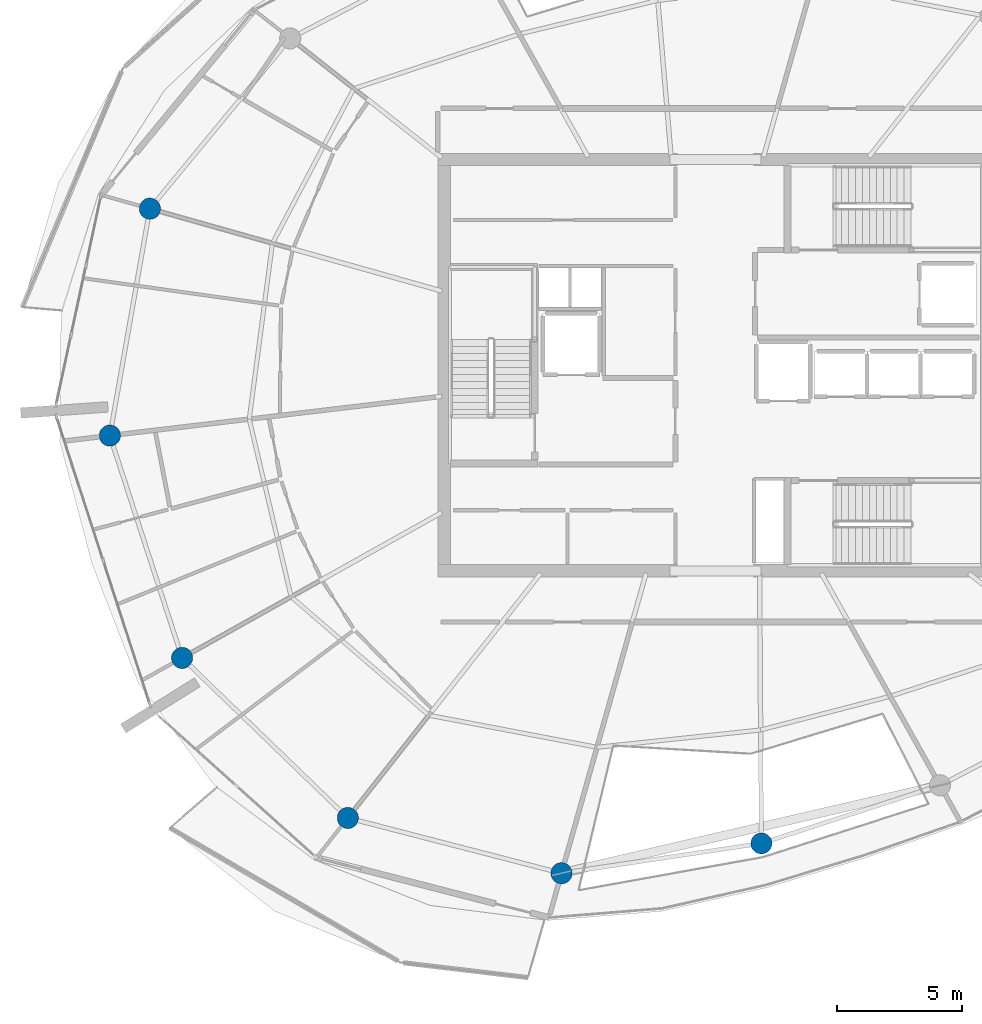
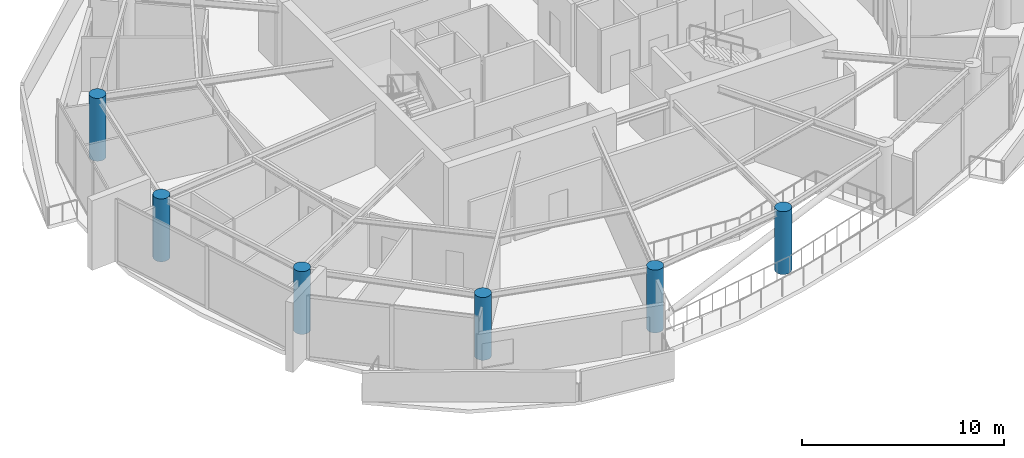
# One storey, part 1 of 21: 6 columns.
"""IFC4 building model written with IfcOpenShell, lengths in metres."""

from ifc_helpers import new_model, si_unit, direction, frame, origin, origin_2d, place, context, subcontext, project, spatial, circle, extrude, material, material_profile, profile_set, type_object, element, save


model = new_model("IFC4")

# Units and contexts
model_context = context("Model", 3, precision=1e-05, world=origin(), true_north=direction((0.0, 1.0)))
body_context = subcontext(model_context, "Body", "Model", "MODEL_VIEW")
ifc_project = project(units=[si_unit("LENGTHUNIT", "METRE"), si_unit("AREAUNIT", "SQUARE_METRE"), si_unit("VOLUMEUNIT", "CUBIC_METRE"), si_unit("PLANEANGLEUNIT", "RADIAN"), si_unit("MASSUNIT", "GRAM", prefix="KILO")], contexts=[model_context])

# Site, building, storey
site_placement = place(None, origin())
site = spatial("IfcSite", under=ifc_project, at=site_placement, CompositionType="ELEMENT")
building_placement = place(site_placement, origin())
building = spatial("IfcBuilding", under=site, at=building_placement, Name="Kazma Halo Residences", CompositionType="ELEMENT")
storey_placement = place(building_placement, frame((0.0, 0.0, 338.89990234375)))
storey = spatial("IfcBuildingStorey", under=building, at=storey_placement, Name="L85", CompositionType="ELEMENT", Elevation=338.89990234375)

# Columns
ifc_material = material(Name="Concrete C60/75", Category="concrete")
ifc_material_profile = material_profile(ifc_material, circle(Radius=0.425048828125, at=origin_2d()), Name="CIRC850")
ifc_profile_set = profile_set([ifc_material_profile], Name="Concrete C60/75")
column_type = type_object("IfcColumnType", Name="COL-PERIM-850", PredefinedType="COLUMN", material=ifc_profile_set)
for number, where, z_axis, x_axis, name in (
    (1, (25.744384765625, 48.276611328125, 0.0), (0.0, 0.0, 1.0), (1.0, 0.0, 0.0), "L85 perimeter ring column P07"),
    (2, (24.1396484375, 39.17578125, 0.0), (0.0, 0.0, 1.0), (1.0, 0.0, 0.0), "L85 perimeter ring column P08"),
    (3, (27.03662109375, 30.260009765625, 0.0), (0.0, 0.0, 1.0), (1.0, 0.0, 0.0), "L85 perimeter ring column P09"),
    (4, (33.68408203125, 23.840576171875, 0.0), (0.0, 0.0, 1.0), (1.0, 0.0, 0.0), "L85 perimeter ring column P10"),
    (5, (42.25341796875, 21.62353515625, 0.0), (0.0, 0.0, 1.0), (1.0, 0.0, 0.0), "L85 perimeter ring column P11"),
    (6, (50.27001953125, 22.82080078125, 0.0), (0.0, 0.0, 1.0), (1.0, 0.0, 0.0), "L85 perimeter ring column P12"),
):
    element("IfcColumn", number, at=place(storey_placement, frame(where, z_axis=z_axis, x_axis=x_axis)), inside=storey, type_object=column_type, Name=name, PredefinedType="COLUMN", context=body_context, shape_type="SweptSolid", body=[
        extrude(circle(Radius=0.425048828125, at=origin_2d()), origin(), (0.0, 0.0, 1.0), 3.800048828125),
    ])

save(model, "model.ifc")
